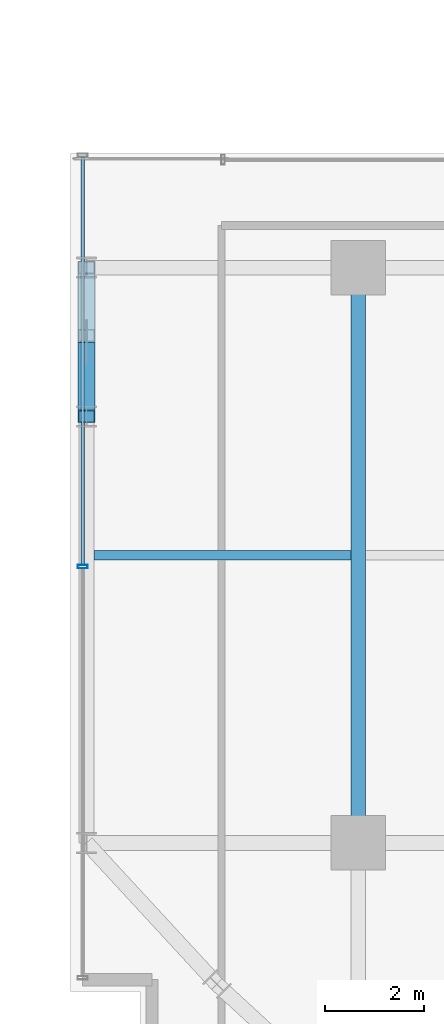
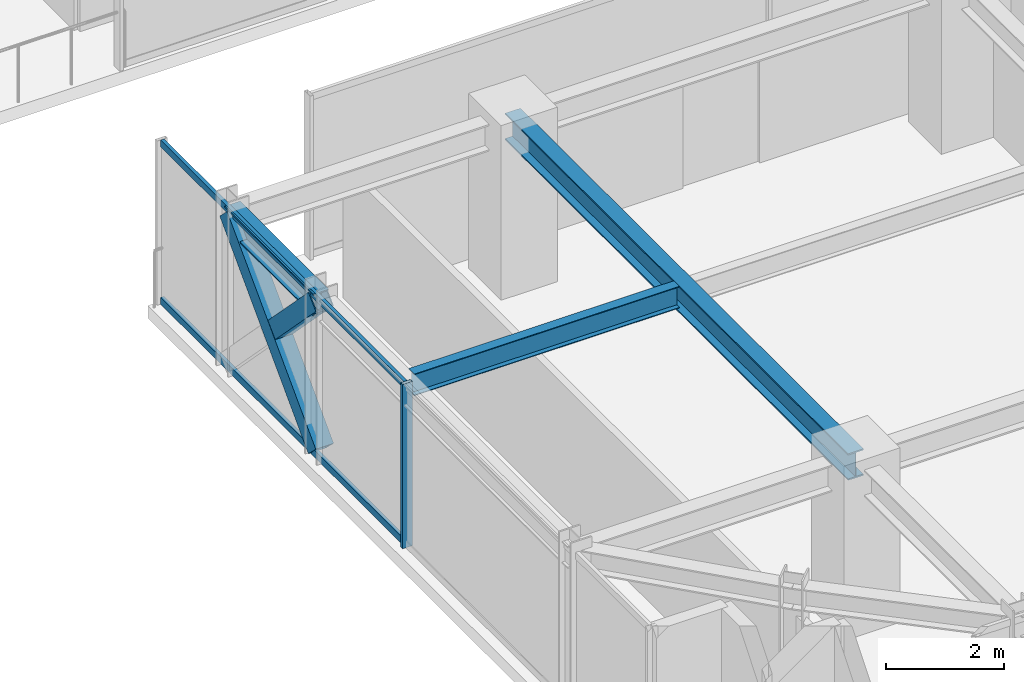
# One storey, part 4 of 37: 5 members, 3 beams, 1 element without a shape of its own.
"""IFC4 building model written with IfcOpenShell, lengths in metres."""

from ifc_helpers import new_model, si_unit, direction, frame, origin, origin_2d, place, context, subcontext, project, spatial, hollow_rectangle, i_section, extrude, source, transform, mapped, material, material_profile, profile_set, type_object, element, aggregate, save


model = new_model("IFC4")

# Units and contexts
model_context = context("Model", 3, precision=1e-05, world=origin(), true_north=direction((0.0, 1.0)))
body_context = subcontext(model_context, "Body", "Model", "MODEL_VIEW")
ifc_project = project(units=[si_unit("LENGTHUNIT", "METRE"), si_unit("AREAUNIT", "SQUARE_METRE"), si_unit("VOLUMEUNIT", "CUBIC_METRE"), si_unit("PLANEANGLEUNIT", "RADIAN"), si_unit("MASSUNIT", "GRAM", prefix="KILO")], contexts=[model_context])

# Site, building, storey
site_placement = place(None, origin())
site = spatial("IfcSite", under=ifc_project, at=site_placement, CompositionType="ELEMENT")
building_placement = place(site_placement, origin())
building = spatial("IfcBuilding", under=site, at=building_placement, Name="Nahalor Promenade Grand Hotel", CompositionType="ELEMENT")
storey_placement = place(building_placement, frame((0.0, 0.0, 167.25)))
storey = spatial("IfcBuildingStorey", under=building, at=storey_placement, Name="L42", CompositionType="ELEMENT", Elevation=167.25)

# Beams
ifc_material_1 = material(Name="Steel S355JR", Category="steel")
ifc_material_profile_1 = material_profile(ifc_material_1, i_section(OverallWidth=0.3, OverallDepth=0.55, WebThickness=0.015, FlangeThickness=0.029, at=origin_2d()), Name="HEB 550")
ifc_profile_set_1 = profile_set([ifc_material_profile_1], Name="Steel S355JR")
beam_type_1 = type_object("IfcBeamType", Name="Beam-Girder-HEB550", PredefinedType="BEAM", material=ifc_profile_set_1)
shared_shape_1 = source(origin(), body_context, "Body", "SweptSolid", [
    extrude(i_section(OverallWidth=0.3, OverallDepth=0.55, WebThickness=0.015, FlangeThickness=0.029, at=origin_2d()), origin(), (0.0, 0.0, 1.0), 11.60009765625),
])
beam_1_placement = place(storey_placement, frame((-17.0, -17.0, 3.114990234375), z_axis=(0.0, 1.0, 0.0), x_axis=(-1.0, 0.0, 0.0)))
element("IfcBeam", 1, at=beam_1_placement, inside=storey, type_object=beam_type_1, Name="BM-L42-GY-0-1", PredefinedType="BEAM", context=body_context, shape_type="MappedRepresentation", body=[
    mapped(shared_shape_1, transform((0.0, 0.0, 0.0), scale=1.0)),
])
ifc_material_profile_2 = material_profile(ifc_material_1, i_section(OverallWidth=0.19, OverallDepth=0.45, WebThickness=0.0094, FlangeThickness=0.0146, at=origin_2d()), Name="IPE 450")
ifc_profile_set_2 = profile_set([ifc_material_profile_2], Name="Steel S355JR")
beam_type_2 = type_object("IfcBeamType", Name="Beam-Joist-IPE450", PredefinedType="JOIST", material=ifc_profile_set_2)
shared_shape_2 = source(origin(), body_context, "Body", "SweptSolid", [
    extrude(i_section(OverallWidth=0.19, OverallDepth=0.45, WebThickness=0.0094, FlangeThickness=0.0146, at=origin_2d()), origin(), (0.0, 0.0, 1.0), 5.18017578125),
])
beam_2_placement = place(storey_placement, frame((-22.330078125, -11.199951171875, 3.1650390625), z_axis=(1.0, 0.0, 0.0), x_axis=(0.0, 1.0, 0.0)))
element("IfcBeam", 2, at=beam_2_placement, inside=storey, type_object=beam_type_2, Name="BM-L42-JSW-0-0", PredefinedType="JOIST", context=body_context, shape_type="MappedRepresentation", body=[
    mapped(shared_shape_2, transform((0.0, 0.0, 0.0), scale=1.0)),
])
ifc_material_profile_3 = material_profile(ifc_material_1, i_section(OverallWidth=0.3, OverallDepth=0.45, WebThickness=0.014, FlangeThickness=0.026, at=origin_2d()), Name="HEB 450")
ifc_profile_set_3 = profile_set([ifc_material_profile_3], Name="Steel S355JR")
beam_type_3 = type_object("IfcBeamType", Name="Beam-Spandrel-HEB450", PredefinedType="SPANDREL", material=ifc_profile_set_3)
shared_shape_3 = source(origin(), body_context, "Body", "SweptSolid", [
    extrude(i_section(OverallWidth=0.3, OverallDepth=0.45, WebThickness=0.014, FlangeThickness=0.026, at=origin_2d()), origin(), (0.0, 0.0, 1.0), 3.0),
])
beam_3_placement = place(storey_placement, frame((-22.47998046875, -8.39990234375, 3.1650390625), z_axis=(0.0, 1.0, 0.0), x_axis=(-1.0, 0.0, 0.0)))
element("IfcBeam", 3, at=beam_3_placement, inside=storey, type_object=beam_type_3, Name="BM-L42-SP-W-1", PredefinedType="SPANDREL", context=body_context, shape_type="MappedRepresentation", body=[
    mapped(shared_shape_3, transform((0.0, 0.0, 0.0), scale=1.0)),
])

# Members
ifc_material_profile_4 = material_profile(ifc_material_1, hollow_rectangle(XDim=0.35, YDim=0.35, WallThickness=0.02, at=origin_2d()), Name="SHS 350x350x20")
ifc_profile_set_4 = profile_set([ifc_material_profile_4], Name="Steel S355JR")
member_type_1 = type_object("IfcMemberType", Name="Mem-VoidBrace-SHS350", PredefinedType="BRACE", material=ifc_profile_set_4)
shared_shape_4 = source(origin(), body_context, "Body", "SweptSolid", [
    extrude(hollow_rectangle(XDim=0.35, YDim=0.35, WallThickness=0.02, at=origin_2d()), origin(), (0.0, 0.0, 1.0), 1.96630859375),
])
member_1_placement = place(storey_placement, frame((-22.47998046875, -7.0302734375, 1.8291015625), z_axis=(0.0, -0.696537426897, 0.717520461682), x_axis=(1.0, 0.0, 0.0)))
element("IfcMember", 4, at=member_1_placement, inside=storey, type_object=member_type_1, Name="EXO-L42-VX2-W0B", PredefinedType="BRACE", context=body_context, shape_type="MappedRepresentation", body=[
    mapped(shared_shape_4, transform((0.0, 0.0, 0.0), scale=1.0)),
])
shared_shape_5 = source(origin(), body_context, "Body", "SweptSolid", [
    extrude(hollow_rectangle(XDim=0.35, YDim=0.35, WallThickness=0.02, at=origin_2d()), origin(), (0.0, 0.0, 1.0), 4.306884765625),
])
member_2_placement = place(storey_placement, frame((-22.47998046875, -8.39990234375, 0.14990234375), z_axis=(0.0, 0.696570665899, 0.717488193219), x_axis=(-1.0, 0.0, 0.0)))
element("IfcMember", 5, at=member_2_placement, inside=storey, type_object=member_type_1, Name="EXO-L42-VX1-W0", PredefinedType="BRACE", context=body_context, shape_type="MappedRepresentation", body=[
    mapped(shared_shape_5, transform((0.0, 0.0, 0.0), scale=1.0)),
])

# Curtain wall, members
ifc_material_2 = material(Name="Anodised Bronze Aluminium EN AW-6063 T6", Category="aluminium")
curtain_wall_type = type_object("IfcCurtainWallType", Name="CW3 Elliptical-Void Collar Unitised Curtain Wall", PredefinedType="USERDEFINED", material=ifc_material_2)
curtain_wall_placement = place(storey_placement, origin())
curtain_wall = element("IfcCurtainWall", 6, at=curtain_wall_placement, inside=storey, type_object=curtain_wall_type, Name="L42 Curtain Wall CW-L42-W-1", ObjectType="UNITISED_CURTAIN_WALL", PredefinedType="USERDEFINED")
ifc_material_profile_5 = material_profile(ifc_material_2, hollow_rectangle(XDim=0.07, YDim=0.2, WallThickness=0.005, at=origin_2d()), Name="CWM 70x200x5")
ifc_profile_set_5 = profile_set([ifc_material_profile_5], Name="Anodised Bronze Aluminium EN AW-6063 T6")
member_type_2 = type_object("IfcMemberType", Name="CWM3 Void Collar Mullion 70x200", PredefinedType="MULLION", material=ifc_profile_set_5)
shared_shape_6 = source(origin(), body_context, "Body", "SweptSolid", [
    extrude(hollow_rectangle(XDim=0.07, YDim=0.2, WallThickness=0.005, at=origin_2d()), origin(), (0.0, 0.0, 1.0), 3.389892578125),
])
member_3_placement = place(storey_placement, frame((-22.56005859375, -11.429931640625, 0.0), z_axis=(0.0, 0.0, 1.0), x_axis=(0.0, 1.0, 0.0)))
member_3 = element("IfcMember", 7, at=member_3_placement, type_object=member_type_2, Name="CW-L42-W-1 Mullion 1", PredefinedType="MULLION", context=body_context, shape_type="MappedRepresentation", body=[
    mapped(shared_shape_6, transform((0.0, 0.0, 0.0), scale=1.0)),
])
ifc_material_profile_6 = material_profile(ifc_material_2, hollow_rectangle(XDim=0.07, YDim=0.14, WallThickness=0.004, at=origin_2d()), Name="CWT 70x140x4")
ifc_profile_set_6 = profile_set([ifc_material_profile_6], Name="Anodised Bronze Aluminium EN AW-6063 T6")
member_type_3 = type_object("IfcMemberType", Name="CWT3 Void Collar Transom 70x140", PredefinedType="USERDEFINED", material=ifc_profile_set_6)
shared_shape_7 = source(origin(), body_context, "Body", "SweptSolid", [
    extrude(hollow_rectangle(XDim=0.07, YDim=0.14, WallThickness=0.004, at=origin_2d()), origin(), (0.0, 0.0, 1.0), 8.22509765625),
])
member_4_placement = place(storey_placement, frame((-22.56005859375, -11.39501953125, 0.070068359375), z_axis=(0.0, 1.0, 0.0), x_axis=(-1.0, 0.0, 0.0)))
member_4 = element("IfcMember", 8, at=member_4_placement, type_object=member_type_3, Name="CW-L42-W-1 Transom 1-0", ObjectType="TRANSOM", PredefinedType="USERDEFINED", context=body_context, shape_type="MappedRepresentation", body=[
    mapped(shared_shape_7, transform((0.0, 0.0, 0.0), scale=1.0)),
])
member_5_placement = place(storey_placement, frame((-22.56005859375, -11.39501953125, 3.320068359375), z_axis=(0.0, 1.0, 0.0), x_axis=(-1.0, 0.0, 0.0)))
member_5 = element("IfcMember", 9, at=member_5_placement, type_object=member_type_3, Name="CW-L42-W-1 Transom 1-1", ObjectType="TRANSOM", PredefinedType="USERDEFINED", context=body_context, shape_type="MappedRepresentation", body=[
    mapped(shared_shape_7, transform((0.0, 0.0, 0.0), scale=1.0)),
])
aggregate(curtain_wall, [member_3, member_4, member_5])

save(model, "model.ifc")
